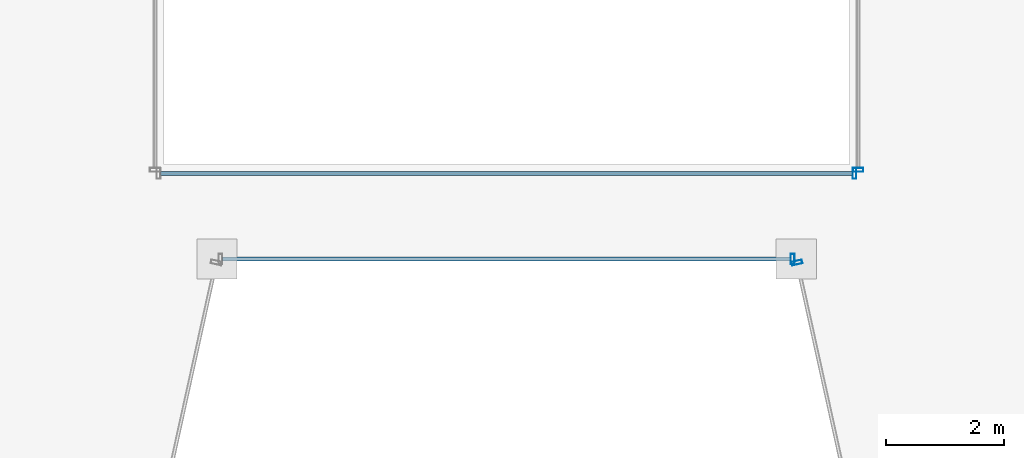
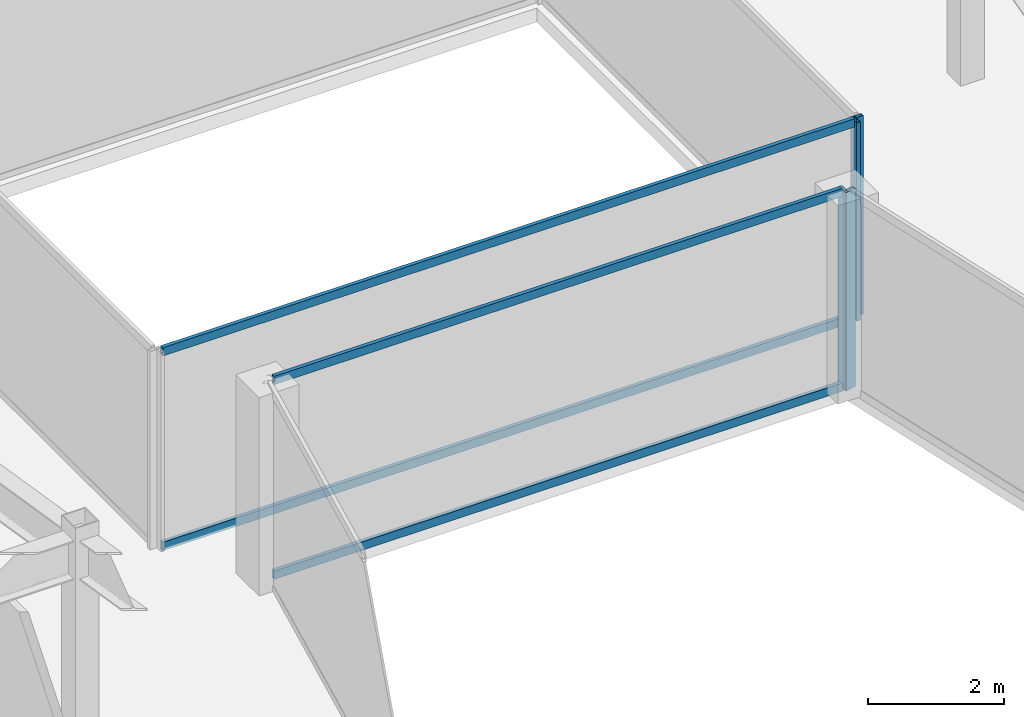
# One storey, part 8 of 35: 8 members, 4 elements without a shape of their own.
"""IFC4 building model written with IfcOpenShell, lengths in metres."""

from ifc_helpers import new_model, si_unit, direction, frame, origin, origin_2d, place, context, subcontext, project, spatial, hollow_rectangle, extrude, material, material_profile, profile_set, type_object, element, aggregate, save


model = new_model("IFC4")

# Units and contexts
model_context = context("Model", 3, precision=1e-05, world=origin(), true_north=direction((0.0, 1.0)))
body_context = subcontext(model_context, "Body", "Model", "MODEL_VIEW")
ifc_project = project(units=[si_unit("LENGTHUNIT", "METRE"), si_unit("AREAUNIT", "SQUARE_METRE"), si_unit("VOLUMEUNIT", "CUBIC_METRE"), si_unit("PLANEANGLEUNIT", "RADIAN"), si_unit("MASSUNIT", "GRAM", prefix="KILO")], contexts=[model_context])

# Site, building, storey
site_placement = place(None, origin())
site = spatial("IfcSite", under=ifc_project, at=site_placement, CompositionType="ELEMENT")
building_placement = place(site_placement, origin())
building = spatial("IfcBuilding", under=site, at=building_placement, Name="Saevonmaru Cultural Tower", CompositionType="ELEMENT")
storey_placement = place(building_placement, frame((0.0, 0.0, 194.199951171875)))
storey = spatial("IfcBuildingStorey", under=building, at=storey_placement, Name="L44", CompositionType="ELEMENT", Elevation=194.199951171875)

# Curtain wall, member
ifc_material = material(Name="Satin Bronze Anodised Aluminium", Category="aluminium")
curtain_wall_type_1 = type_object("IfcCurtainWallType", Name="CW-TYP-B", PredefinedType="NOTDEFINED", material=ifc_material)
curtain_wall_1_placement = place(storey_placement, origin())
curtain_wall_1 = element("IfcCurtainWall", 1, at=curtain_wall_1_placement, inside=storey, type_object=curtain_wall_type_1, Name="L44 Unitised Curtain Wall E4", PredefinedType="NOTDEFINED")
ifc_material_profile_1 = material_profile(ifc_material, hollow_rectangle(XDim=0.06494140625, YDim=0.179931640625, WallThickness=0.00390625, at=origin_2d()), Name="ALU-MULL-180x65x4")
ifc_profile_set_1 = profile_set([ifc_material_profile_1], Name="Satin Bronze Anodised Aluminium")
member_type_1 = type_object("IfcMemberType", Name="ML-CW-180x65", PredefinedType="MULLION", material=ifc_profile_set_1)
member_1_placement = place(storey_placement, frame((34.84228515625, 26.0, 0.0), z_axis=(0.0, 0.0, 1.0), x_axis=(1.0, 0.0, 0.0)))
member_1 = element("IfcMember", 2, at=member_1_placement, type_object=member_type_1, Name="CW-TW-L44-E4 mullion 2", PredefinedType="MULLION", context=body_context, shape_type="SweptSolid", body=[
    extrude(hollow_rectangle(XDim=0.06494140625, YDim=0.179931640625, WallThickness=0.00390625, at=origin_2d()), origin(), (0.0, 0.0, 1.0), 3.550048828125),
])

curtain_wall_2_placement = place(storey_placement, origin())
curtain_wall_2 = element("IfcCurtainWall", 3, at=curtain_wall_2_placement, inside=storey, type_object=curtain_wall_type_1, Name="L44 Unitised Curtain Wall E5", PredefinedType="NOTDEFINED")
member_2_placement = place(storey_placement, frame((34.9150390625, 25.94140625, 0.0), z_axis=(0.0, 0.0, 1.0), x_axis=(0.215413319953, -0.976522965212, 0.0)))
member_2 = element("IfcMember", 4, at=member_2_placement, type_object=member_type_1, Name="CW-TW-L44-E5 mullion 1", PredefinedType="MULLION", context=body_context, shape_type="SweptSolid", body=[
    extrude(hollow_rectangle(XDim=0.06494140625, YDim=0.179931640625, WallThickness=0.00390625, at=origin_2d()), origin(), (0.0, 0.0, 1.0), 3.550048828125),
])
aggregate(curtain_wall_2, [member_2])

curtain_wall_type_2 = type_object("IfcCurtainWallType", Name="CW-ATR-GLZ", PredefinedType="NOTDEFINED", material=ifc_material)
curtain_wall_3_placement = place(storey_placement, origin())
curtain_wall_3 = element("IfcCurtainWall", 5, at=curtain_wall_3_placement, inside=storey, type_object=curtain_wall_type_2, Name="L44 Vertical Atrium Glazed Smoke Screen 1", PredefinedType="NOTDEFINED")
ifc_material_profile_2 = material_profile(ifc_material, hollow_rectangle(XDim=0.06494140625, YDim=0.179931640625, WallThickness=0.00390625, at=origin_2d()), Name="ALU-MULL-180x65x4")
ifc_profile_set_2 = profile_set([ifc_material_profile_2], Name="Satin Bronze Anodised Aluminium")
member_type_2 = type_object("IfcMemberType", Name="ML-CW-INT-180x65", PredefinedType="MULLION", material=ifc_profile_set_2)
member_3_placement = place(storey_placement, frame((35.889892578125, 27.449951171875, 0.0), z_axis=(0.0, 0.0, 1.0), x_axis=(1.0, 0.0, 0.0)))
member_3 = element("IfcMember", 6, at=member_3_placement, type_object=member_type_2, Name="CW-ATR-L44-1 mullion 2", PredefinedType="MULLION", context=body_context, shape_type="SweptSolid", body=[
    extrude(hollow_rectangle(XDim=0.06494140625, YDim=0.179931640625, WallThickness=0.00390625, at=origin_2d()), origin(), (0.0, 0.0, 1.0), 3.550048828125),
])

curtain_wall_4_placement = place(storey_placement, origin())
curtain_wall_4 = element("IfcCurtainWall", 7, at=curtain_wall_4_placement, inside=storey, type_object=curtain_wall_type_2, Name="L44 Vertical Atrium Glazed Smoke Screen 2", PredefinedType="NOTDEFINED")
member_4_placement = place(storey_placement, frame((35.949951171875, 27.510009765625, 0.0), z_axis=(0.0, 0.0, 1.0), x_axis=(0.0, 1.0, 0.0)))
member_4 = element("IfcMember", 8, at=member_4_placement, type_object=member_type_2, Name="CW-ATR-L44-2 mullion 1", PredefinedType="MULLION", context=body_context, shape_type="SweptSolid", body=[
    extrude(hollow_rectangle(XDim=0.06494140625, YDim=0.179931640625, WallThickness=0.00390625, at=origin_2d()), origin(), (0.0, 0.0, 1.0), 3.550048828125),
])
aggregate(curtain_wall_4, [member_4])

# Member
ifc_material_profile_3 = material_profile(ifc_material, hollow_rectangle(XDim=0.06494140625, YDim=0.14990234375, WallThickness=0.00390625, at=origin_2d()), Name="ALU-TRAN-150x65x4")
ifc_profile_set_3 = profile_set([ifc_material_profile_3], Name="Satin Bronze Anodised Aluminium")
member_type_3 = type_object("IfcMemberType", Name="TR-CW-150x65", PredefinedType="USERDEFINED", material=ifc_profile_set_3)
member_5_placement = place(storey_placement, frame((25.190185546875, 26.0, 0.032470703125), z_axis=(1.0, 0.0, 0.0), x_axis=(0.0, 1.0, 0.0)))
member_5 = element("IfcMember", 9, at=member_5_placement, type_object=member_type_3, Name="CW-TW-L44-E4 transom 1.1", ObjectType="TRANSOM", PredefinedType="USERDEFINED", context=body_context, shape_type="SweptSolid", body=[
    extrude(hollow_rectangle(XDim=0.06494140625, YDim=0.14990234375, WallThickness=0.00390625, at=origin_2d()), origin(), (0.0, 0.0, 1.0), 9.61962890625),
])

member_6_placement = place(storey_placement, frame((25.190185546875, 26.0, 3.517578125), z_axis=(1.0, 0.0, 0.0), x_axis=(0.0, 1.0, 0.0)))
member_6 = element("IfcMember", 10, at=member_6_placement, type_object=member_type_3, Name="CW-TW-L44-E4 transom 1.2", ObjectType="TRANSOM", PredefinedType="USERDEFINED", context=body_context, shape_type="SweptSolid", body=[
    extrude(hollow_rectangle(XDim=0.06494140625, YDim=0.14990234375, WallThickness=0.00390625, at=origin_2d()), origin(), (0.0, 0.0, 1.0), 9.61962890625),
])

aggregate(curtain_wall_1, [member_1, member_5, member_6])

ifc_material_profile_4 = material_profile(ifc_material, hollow_rectangle(XDim=0.06494140625, YDim=0.14990234375, WallThickness=0.00390625, at=origin_2d()), Name="ALU-TRAN-150x65x4")
ifc_profile_set_4 = profile_set([ifc_material_profile_4], Name="Satin Bronze Anodised Aluminium")
member_type_4 = type_object("IfcMemberType", Name="TR-CW-INT-150x65", PredefinedType="USERDEFINED", material=ifc_profile_set_4)
member_7_placement = place(storey_placement, frame((24.142578125, 27.449951171875, 0.032470703125), z_axis=(1.0, 0.0, 0.0), x_axis=(0.0, 1.0, 0.0)))
member_7 = element("IfcMember", 11, at=member_7_placement, type_object=member_type_4, Name="CW-ATR-L44-1 transom 1.1", ObjectType="TRANSOM", PredefinedType="USERDEFINED", context=body_context, shape_type="SweptSolid", body=[
    extrude(hollow_rectangle(XDim=0.06494140625, YDim=0.14990234375, WallThickness=0.00390625, at=origin_2d()), origin(), (0.0, 0.0, 1.0), 11.71484375),
])

member_8_placement = place(storey_placement, frame((24.142578125, 27.449951171875, 3.517578125), z_axis=(1.0, 0.0, 0.0), x_axis=(0.0, 1.0, 0.0)))
member_8 = element("IfcMember", 12, at=member_8_placement, type_object=member_type_4, Name="CW-ATR-L44-1 transom 1.2", ObjectType="TRANSOM", PredefinedType="USERDEFINED", context=body_context, shape_type="SweptSolid", body=[
    extrude(hollow_rectangle(XDim=0.06494140625, YDim=0.14990234375, WallThickness=0.00390625, at=origin_2d()), origin(), (0.0, 0.0, 1.0), 11.71484375),
])

aggregate(curtain_wall_3, [member_3, member_7, member_8])

save(model, "model.ifc")
